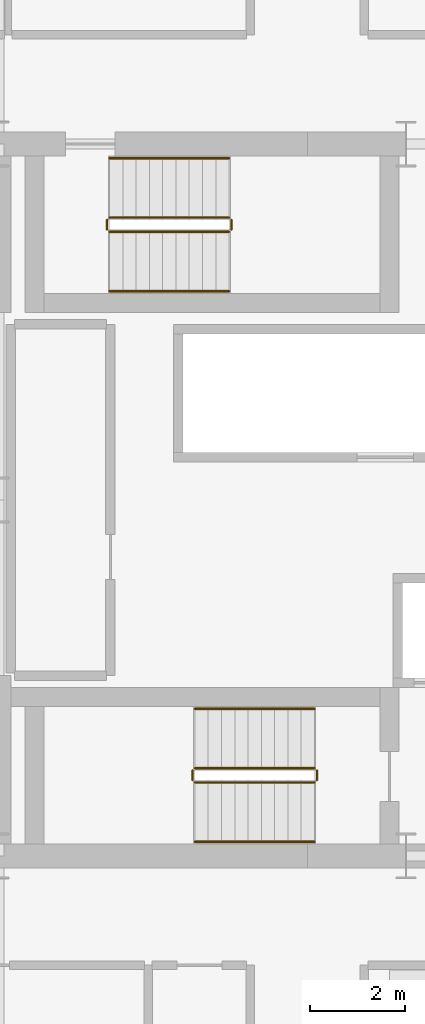
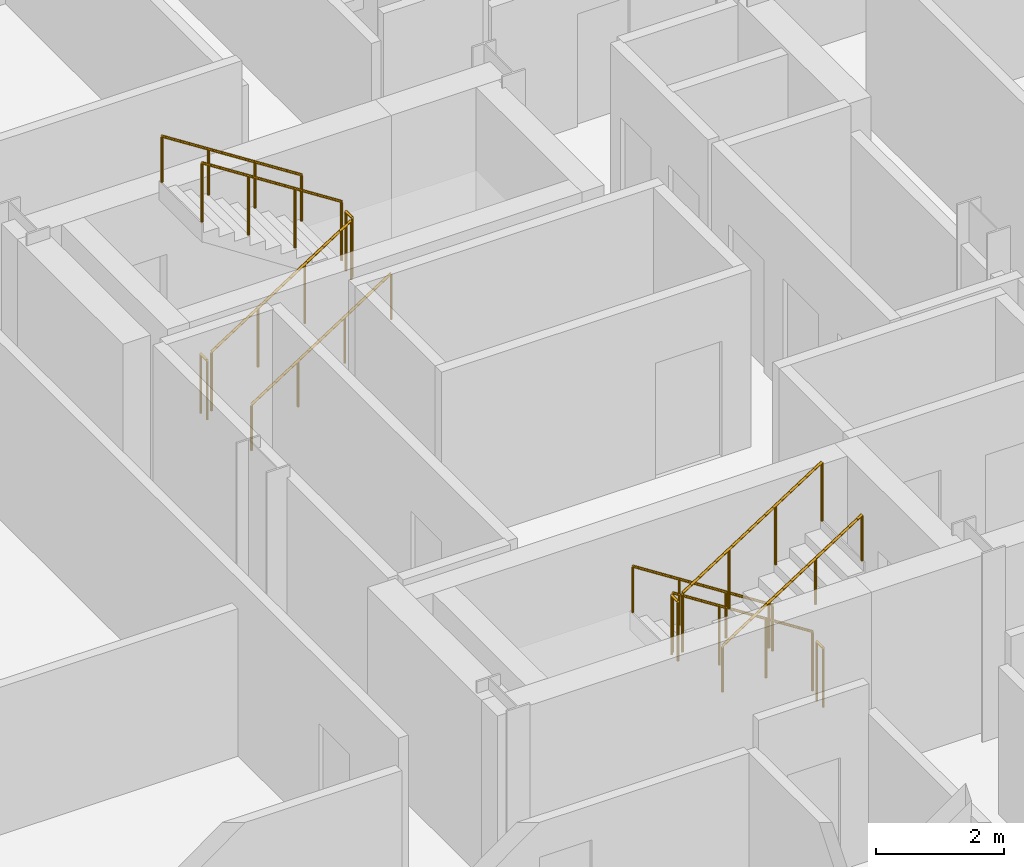
# One storey, part 22 of 23: 12 railings.
"""IFC4 building model written with IfcOpenShell, lengths in metres."""

from ifc_helpers import new_model, si_unit, direction, frame, origin, origin_2d, place, context, subcontext, project, spatial, circle, extrude, material, type_object, element, save


model = new_model("IFC4")

# Units and contexts
model_context = context("Model", 3, precision=1e-05, world=origin(), true_north=direction((0.0, 1.0)))
body_context = subcontext(model_context, "Body", "Model", "MODEL_VIEW")
ifc_project = project(units=[si_unit("LENGTHUNIT", "METRE"), si_unit("AREAUNIT", "SQUARE_METRE"), si_unit("VOLUMEUNIT", "CUBIC_METRE"), si_unit("PLANEANGLEUNIT", "RADIAN"), si_unit("MASSUNIT", "GRAM", prefix="KILO")], contexts=[model_context])

# Site, building, storey
site_placement = place(None, origin())
site = spatial("IfcSite", under=ifc_project, at=site_placement, CompositionType="ELEMENT")
building_placement = place(site_placement, origin())
building = spatial("IfcBuilding", under=site, at=building_placement, Name="Barlavira Tower and Art Museum", CompositionType="ELEMENT")
storey_placement = place(building_placement, frame((0.0, 0.0, 151.199951171875)))
storey = spatial("IfcBuildingStorey", under=building, at=storey_placement, Name="L38", CompositionType="ELEMENT", Elevation=151.199951171875)

# Railings
ifc_material = material(Name="Brushed stainless steel", Category="steel")
railing_type_1 = type_object("IfcRailingType", Name="Interior Void and Landing Guard Railing 1150", PredefinedType="GUARDRAIL", material=ifc_material)
railing_1_placement = place(storey_placement, frame((0.14990234375, -5.64990234375, 0.179931640625)))
element("IfcRailing", 1, at=railing_1_placement, inside=storey, type_object=railing_type_1, Name="L38 ST-T1 stair guard 1", PredefinedType="GUARDRAIL", context=body_context, shape_type="SweptSolid", body=[
    extrude(circle(Radius=0.02392578125, at=origin_2d()), frame((0.0, 0.0, 1.1259765625), z_axis=(-0.841162588446, 0.0, 0.540782303519), x_axis=(0.0, -1.0, 0.0)), (0.0, 0.0, 1.0), 2.995849609375),
    extrude(circle(Radius=0.02099609375, at=origin_2d()), origin(), (0.0, 0.0, 1.0), 1.101806640625),
    extrude(circle(Radius=0.02099609375, at=origin_2d()), frame((-0.840087890625, 0.0, 0.5400390625)), (0.0, 0.0, 1.0), 1.101806640625),
    extrude(circle(Radius=0.02099609375, at=origin_2d()), frame((-1.679931640625, 0.0, 1.080078125)), (0.0, 0.0, 1.0), 1.101806640625),
    extrude(circle(Radius=0.02099609375, at=origin_2d()), frame((-2.52001953125, 0.0, 1.6201171875)), (0.0, 0.0, 1.0), 1.101806640625),
])
railing_2_placement = place(storey_placement, frame((-2.419921875, -5.699951171875, 1.800048828125)))
element("IfcRailing", 2, at=railing_2_placement, inside=storey, type_object=railing_type_1, Name="L38 ST-T1 stair guard 2", PredefinedType="GUARDRAIL", context=body_context, shape_type="SweptSolid", body=[
    extrude(circle(Radius=0.02392578125, at=origin_2d()), frame((0.0, 0.0, 1.1259765625), z_axis=(0.0, -1.0, 0.0), x_axis=(1.0, 0.0, 0.0)), (0.0, 0.0, 1.0), 0.199951171875),
    extrude(circle(Radius=0.02099609375, at=origin_2d()), origin(), (0.0, 0.0, 1.0), 1.101806640625),
    extrude(circle(Radius=0.02099609375, at=origin_2d()), frame((0.0, -0.199951171875, 0.0)), (0.0, 0.0, 1.0), 1.101806640625),
])
railing_3_placement = place(storey_placement, frame((-2.3701171875, -5.949951171875, 1.97998046875)))
element("IfcRailing", 3, at=railing_3_placement, inside=storey, type_object=railing_type_1, Name="L38 ST-T1 stair guard 3", PredefinedType="GUARDRAIL", context=body_context, shape_type="SweptSolid", body=[
    extrude(circle(Radius=0.02392578125, at=origin_2d()), frame((0.0, 0.0, 1.1259765625), z_axis=(0.841162588446, 0.0, 0.540782303519), x_axis=(0.0, 1.0, 0.0)), (0.0, 0.0, 1.0), 2.995849609375),
    extrude(circle(Radius=0.02099609375, at=origin_2d()), origin(), (0.0, 0.0, 1.0), 1.101806640625),
    extrude(circle(Radius=0.02099609375, at=origin_2d()), frame((0.840087890625, 0.0, 0.5400390625)), (0.0, 0.0, 1.0), 1.101806640625),
    extrude(circle(Radius=0.02099609375, at=origin_2d()), frame((1.679931640625, 0.0, 1.080078125)), (0.0, 0.0, 1.0), 1.101806640625),
    extrude(circle(Radius=0.02099609375, at=origin_2d()), frame((2.52001953125, 0.0, 1.6201171875)), (0.0, 0.0, 1.0), 1.101806640625),
])
railing_4_placement = place(storey_placement, frame((0.199951171875, -5.699951171875, 0.0)))
element("IfcRailing", 4, at=railing_4_placement, inside=storey, type_object=railing_type_1, Name="L38 ST-T1 stair guard 4", PredefinedType="GUARDRAIL", context=body_context, shape_type="SweptSolid", body=[
    extrude(circle(Radius=0.02392578125, at=origin_2d()), frame((0.0, 0.0, 1.1259765625), z_axis=(0.0, -1.0, 0.0), x_axis=(1.0, 0.0, 0.0)), (0.0, 0.0, 1.0), 0.199951171875),
    extrude(circle(Radius=0.02099609375, at=origin_2d()), origin(), (0.0, 0.0, 1.0), 1.101806640625),
    extrude(circle(Radius=0.02099609375, at=origin_2d()), frame((0.0, -0.199951171875, 0.0)), (0.0, 0.0, 1.0), 1.101806640625),
])
railing_5_placement = place(storey_placement, frame((-4.169921875, 5.64990234375, 0.179931640625)))
element("IfcRailing", 5, at=railing_5_placement, inside=storey, type_object=railing_type_1, Name="L38 ST-T2 stair guard 1", PredefinedType="GUARDRAIL", context=body_context, shape_type="SweptSolid", body=[
    extrude(circle(Radius=0.02392578125, at=origin_2d()), frame((0.0, 0.0, 1.1259765625), z_axis=(0.841162588446, 0.0, 0.540782303519), x_axis=(0.0, 1.0, 0.0)), (0.0, 0.0, 1.0), 2.995849609375),
    extrude(circle(Radius=0.02099609375, at=origin_2d()), origin(), (0.0, 0.0, 1.0), 1.101806640625),
    extrude(circle(Radius=0.02099609375, at=origin_2d()), frame((0.840087890625, 0.0, 0.5400390625)), (0.0, 0.0, 1.0), 1.101806640625),
    extrude(circle(Radius=0.02099609375, at=origin_2d()), frame((1.679931640625, 0.0, 1.080078125)), (0.0, 0.0, 1.0), 1.101806640625),
    extrude(circle(Radius=0.02099609375, at=origin_2d()), frame((2.52001953125, 0.0, 1.6201171875)), (0.0, 0.0, 1.0), 1.101806640625),
])
railing_6_placement = place(storey_placement, frame((-1.60009765625, 5.699951171875, 1.800048828125)))
element("IfcRailing", 6, at=railing_6_placement, inside=storey, type_object=railing_type_1, Name="L38 ST-T2 stair guard 2", PredefinedType="GUARDRAIL", context=body_context, shape_type="SweptSolid", body=[
    extrude(circle(Radius=0.02392578125, at=origin_2d()), frame((0.0, 0.0, 1.1259765625), z_axis=(0.0, 1.0, 0.0), x_axis=(-1.0, 0.0, 0.0)), (0.0, 0.0, 1.0), 0.199951171875),
    extrude(circle(Radius=0.02099609375, at=origin_2d()), origin(), (0.0, 0.0, 1.0), 1.101806640625),
    extrude(circle(Radius=0.02099609375, at=origin_2d()), frame((0.0, 0.199951171875, 0.0)), (0.0, 0.0, 1.0), 1.101806640625),
])
railing_7_placement = place(storey_placement, frame((-1.64990234375, 5.949951171875, 1.97998046875)))
element("IfcRailing", 7, at=railing_7_placement, inside=storey, type_object=railing_type_1, Name="L38 ST-T2 stair guard 3", PredefinedType="GUARDRAIL", context=body_context, shape_type="SweptSolid", body=[
    extrude(circle(Radius=0.02392578125, at=origin_2d()), frame((0.0, 0.0, 1.1259765625), z_axis=(-0.841162588446, 0.0, 0.540782303519), x_axis=(0.0, -1.0, 0.0)), (0.0, 0.0, 1.0), 2.995849609375),
    extrude(circle(Radius=0.02099609375, at=origin_2d()), origin(), (0.0, 0.0, 1.0), 1.101806640625),
    extrude(circle(Radius=0.02099609375, at=origin_2d()), frame((-0.840087890625, 0.0, 0.5400390625)), (0.0, 0.0, 1.0), 1.101806640625),
    extrude(circle(Radius=0.02099609375, at=origin_2d()), frame((-1.679931640625, 0.0, 1.080078125)), (0.0, 0.0, 1.0), 1.101806640625),
    extrude(circle(Radius=0.02099609375, at=origin_2d()), frame((-2.52001953125, 0.0, 1.6201171875)), (0.0, 0.0, 1.0), 1.101806640625),
])
railing_8_placement = place(storey_placement, frame((-4.219970703125, 5.699951171875, 0.0)))
element("IfcRailing", 8, at=railing_8_placement, inside=storey, type_object=railing_type_1, Name="L38 ST-T2 stair guard 4", PredefinedType="GUARDRAIL", context=body_context, shape_type="SweptSolid", body=[
    extrude(circle(Radius=0.02392578125, at=origin_2d()), frame((0.0, 0.0, 1.1259765625), z_axis=(0.0, 1.0, 0.0), x_axis=(-1.0, 0.0, 0.0)), (0.0, 0.0, 1.0), 0.199951171875),
    extrude(circle(Radius=0.02099609375, at=origin_2d()), origin(), (0.0, 0.0, 1.0), 1.101806640625),
    extrude(circle(Radius=0.02099609375, at=origin_2d()), frame((0.0, 0.199951171875, 0.0)), (0.0, 0.0, 1.0), 1.101806640625),
])
railing_type_2 = type_object("IfcRailingType", Name="Stair Pitch Tubular Steel Handrail 920", PredefinedType="HANDRAIL", material=ifc_material)
railing_9_placement = place(storey_placement, frame((0.14990234375, -4.39990234375, 0.179931640625)))
element("IfcRailing", 9, at=railing_9_placement, inside=storey, type_object=railing_type_2, Name="L38 ST-T1 stair handrail 1", PredefinedType="HANDRAIL", context=body_context, shape_type="SweptSolid", body=[
    extrude(circle(Radius=0.02392578125, at=origin_2d()), frame((0.0, 0.0, 0.8759765625), z_axis=(-0.841162588446, 0.0, 0.540782303519), x_axis=(0.0, -1.0, 0.0)), (0.0, 0.0, 1.0), 2.995849609375),
    extrude(circle(Radius=0.02099609375, at=origin_2d()), origin(), (0.0, 0.0, 1.0), 0.851806640625),
    extrude(circle(Radius=0.02099609375, at=origin_2d()), frame((-0.840087890625, 0.0, 0.5400390625)), (0.0, 0.0, 1.0), 0.851806640625),
    extrude(circle(Radius=0.02099609375, at=origin_2d()), frame((-1.679931640625, 0.0, 1.080078125)), (0.0, 0.0, 1.0), 0.851806640625),
    extrude(circle(Radius=0.02099609375, at=origin_2d()), frame((-2.52001953125, 0.0, 1.6201171875)), (0.0, 0.0, 1.0), 0.851806640625),
])
for number, where, name in (
    (10, (-2.3701171875, -7.199951171875, 1.97998046875), "L38 ST-T1 stair handrail 2"),
    (11, (-4.169921875, 4.39990234375, 0.179931640625), "L38 ST-T2 stair handrail 1"),
):
    element("IfcRailing", number, at=place(storey_placement, frame(where)), inside=storey, type_object=railing_type_2, Name=name, PredefinedType="HANDRAIL", context=body_context, shape_type="SweptSolid", body=[
        extrude(circle(Radius=0.02392578125, at=origin_2d()), frame((0.0, 0.0, 0.8759765625), z_axis=(0.841162588446, 0.0, 0.540782303519), x_axis=(0.0, 1.0, 0.0)), (0.0, 0.0, 1.0), 2.995849609375),
        extrude(circle(Radius=0.02099609375, at=origin_2d()), origin(), (0.0, 0.0, 1.0), 0.851806640625),
        extrude(circle(Radius=0.02099609375, at=origin_2d()), frame((0.840087890625, 0.0, 0.5400390625)), (0.0, 0.0, 1.0), 0.851806640625),
        extrude(circle(Radius=0.02099609375, at=origin_2d()), frame((1.679931640625, 0.0, 1.080078125)), (0.0, 0.0, 1.0), 0.851806640625),
        extrude(circle(Radius=0.02099609375, at=origin_2d()), frame((2.52001953125, 0.0, 1.6201171875)), (0.0, 0.0, 1.0), 0.851806640625),
    ])
railing_10_placement = place(storey_placement, frame((-1.64990234375, 7.199951171875, 1.97998046875)))
element("IfcRailing", 12, at=railing_10_placement, inside=storey, type_object=railing_type_2, Name="L38 ST-T2 stair handrail 2", PredefinedType="HANDRAIL", context=body_context, shape_type="SweptSolid", body=[
    extrude(circle(Radius=0.02392578125, at=origin_2d()), frame((0.0, 0.0, 0.8759765625), z_axis=(-0.841162588446, 0.0, 0.540782303519), x_axis=(0.0, -1.0, 0.0)), (0.0, 0.0, 1.0), 2.995849609375),
    extrude(circle(Radius=0.02099609375, at=origin_2d()), origin(), (0.0, 0.0, 1.0), 0.851806640625),
    extrude(circle(Radius=0.02099609375, at=origin_2d()), frame((-0.840087890625, 0.0, 0.5400390625)), (0.0, 0.0, 1.0), 0.851806640625),
    extrude(circle(Radius=0.02099609375, at=origin_2d()), frame((-1.679931640625, 0.0, 1.080078125)), (0.0, 0.0, 1.0), 0.851806640625),
    extrude(circle(Radius=0.02099609375, at=origin_2d()), frame((-2.52001953125, 0.0, 1.6201171875)), (0.0, 0.0, 1.0), 0.851806640625),
])

save(model, "model.ifc")
